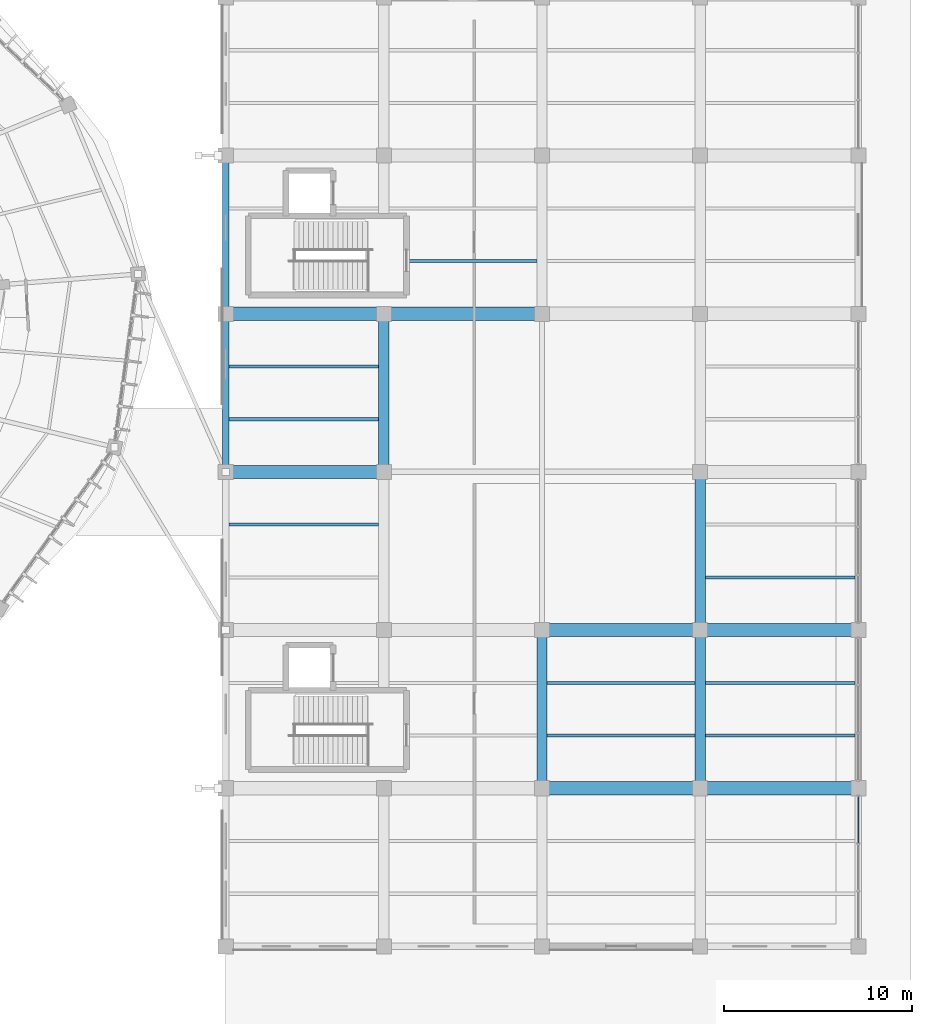
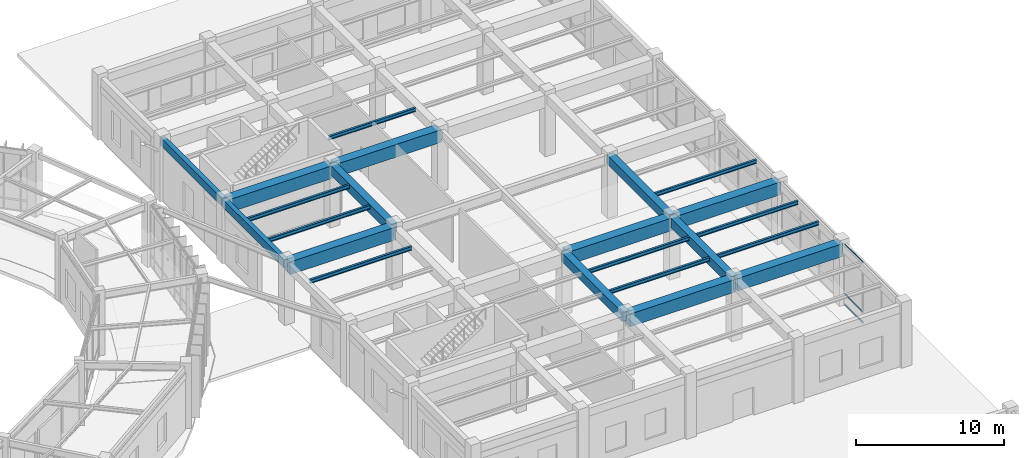
# One storey, part 102 of 157: 22 beams, 3 members, 1 element without a shape of its own.
"""IFC4 building model written with IfcOpenShell, lengths in metres."""

from ifc_helpers import new_model, si_unit, direction, frame, origin, origin_2d, place, context, subcontext, project, spatial, rectangle, hollow_rectangle, i_section, extrude, material, material_profile, profile_set, type_object, element, aggregate, save


model = new_model("IFC4")

# Units and contexts
model_context = context("Model", 3, precision=1e-05, world=origin(), true_north=direction((0.0, 1.0)))
body_context = subcontext(model_context, "Body", "Model", "MODEL_VIEW")
ifc_project = project(units=[si_unit("LENGTHUNIT", "METRE"), si_unit("AREAUNIT", "SQUARE_METRE"), si_unit("VOLUMEUNIT", "CUBIC_METRE"), si_unit("PLANEANGLEUNIT", "RADIAN"), si_unit("MASSUNIT", "GRAM", prefix="KILO"), si_unit("THERMODYNAMICTEMPERATUREUNIT", "KELVIN"), si_unit("POWERUNIT", "WATT")], contexts=[model_context])

# Site, building, storey
site_placement = place(None, origin())
site = spatial("IfcSite", under=ifc_project, at=site_placement, CompositionType="ELEMENT")
building_placement = place(site_placement, origin())
building = spatial("IfcBuilding", under=site, at=building_placement, Name="Darbajah Civic Hall", CompositionType="ELEMENT")
storey_placement = place(building_placement, origin())
storey = spatial("IfcBuildingStorey", under=building, at=storey_placement, Name="L00", CompositionType="ELEMENT", Elevation=0.0)

# Curtain wall, members
ifc_material_1 = material(Name="Anodised Bronze Aluminium and Low-E Glazing", Category="aluminium")
curtain_wall_type = type_object("IfcCurtainWallType", Name="Unitised Curtain Wall CW-95 7600x5050", PredefinedType="USERDEFINED", material=ifc_material_1)
curtain_wall_placement = place(storey_placement, origin())
curtain_wall = element("IfcCurtainWall", 1, at=curtain_wall_placement, inside=storey, type_object=curtain_wall_type, Name="L00 unitised curtain wall CW-V4-L00-S1-B0", ObjectType="UNITISED CURTAIN WALL", PredefinedType="USERDEFINED")
ifc_material_2 = material(Name="Anodised Bronze Aluminium", Category="aluminium")
ifc_material_profile_1 = material_profile(ifc_material_2, hollow_rectangle(XDim=0.06005859375, YDim=0.1201171875, WallThickness=0.003173828125, at=origin_2d()), Name="ALU TRANSOM 60x120")
ifc_profile_set_1 = profile_set([ifc_material_profile_1], Name="Anodised Bronze Aluminium")
member_type = type_object("IfcMemberType", Name="ALU TRANSOM 60x120", PredefinedType="USERDEFINED", material=ifc_profile_set_1)
member_1_placement = place(storey_placement, frame((178.199951171875, 61.90087890625, 0.06005859375), z_axis=(0.0, 1.0, 0.0), x_axis=(-1.0, 0.0, 0.0)))
member_1 = element("IfcMember", 2, at=member_1_placement, type_object=member_type, Name="CW-V4-L00-S1-B0 transom 3.1", ObjectType="TRANSOM", PredefinedType="USERDEFINED", context=body_context, shape_type="SweptSolid", body=[
    extrude(hollow_rectangle(XDim=0.06005859375, YDim=0.1201171875, WallThickness=0.003173828125, at=origin_2d()), origin(), (0.0, 0.0, 1.0), 2.462158203125),
])
member_2_placement = place(storey_placement, frame((178.199951171875, 61.90087890625, 0.949951171875), z_axis=(0.0, 1.0, 0.0), x_axis=(-1.0, 0.0, 0.0)))
member_2 = element("IfcMember", 3, at=member_2_placement, type_object=member_type, Name="CW-V4-L00-S1-B0 transom 3.2", ObjectType="TRANSOM", PredefinedType="USERDEFINED", context=body_context, shape_type="SweptSolid", body=[
    extrude(hollow_rectangle(XDim=0.06005859375, YDim=0.1201171875, WallThickness=0.003173828125, at=origin_2d()), origin(), (0.0, 0.0, 1.0), 2.462158203125),
])
member_3_placement = place(storey_placement, frame((178.199951171875, 61.90087890625, 5.0), z_axis=(0.0, 1.0, 0.0), x_axis=(-1.0, 0.0, 0.0)))
member_3 = element("IfcMember", 4, at=member_3_placement, type_object=member_type, Name="CW-V4-L00-S1-B0 transom 3.3", ObjectType="TRANSOM", PredefinedType="USERDEFINED", context=body_context, shape_type="SweptSolid", body=[
    extrude(hollow_rectangle(XDim=0.06005859375, YDim=0.1201171875, WallThickness=0.003173828125, at=origin_2d()), origin(), (0.0, 0.0, 1.0), 2.462158203125),
])
aggregate(curtain_wall, [member_1, member_2, member_3])

# Beams
ifc_material_3 = material(Name="Concrete C45/55", Category="concrete")
ifc_material_profile_2 = material_profile(ifc_material_3, rectangle(XDim=0.550048828125, YDim=0.75, at=origin_2d()), Name="RC BEAM 550x750")
ifc_profile_set_2 = profile_set([ifc_material_profile_2], Name="Concrete C45/55")
beam_type_1 = type_object("IfcBeamType", Name="RC BEAM 550x750", PredefinedType="BEAM", material=ifc_profile_set_2)
beam_1_placement = place(storey_placement, frame((153.0, 81.679931640625, 4.68505859375), z_axis=(0.0, 1.0, 0.0), x_axis=(-1.0, 0.0, 0.0)))
element("IfcBeam", 5, at=beam_1_placement, inside=storey, type_object=beam_type_1, Name="L00 beam BM-5575", PredefinedType="BEAM", context=body_context, shape_type="SweptSolid", body=[
    extrude(rectangle(XDim=0.550048828125, YDim=0.75, at=origin_2d()), origin(), (0.0, 0.0, 1.0), 8.239990234375),
])
for number, where, z_axis, x_axis, name in (
    (6, (161.39990234375, 64.8798828125, 4.68505859375), (0.0, 1.0, 0.0), (-1.0, 0.0, 0.0), "L00 beam BM-5575"),
    (7, (169.800048828125, 64.8798828125, 4.68505859375), (0.0, 1.0, 0.0), (-1.0, 0.0, 0.0), "L00 beam BM-5575"),
):
    element("IfcBeam", number, at=place(storey_placement, frame(where, z_axis=z_axis, x_axis=x_axis)), inside=storey, type_object=beam_type_1, Name=name, PredefinedType="BEAM", context=body_context, shape_type="SweptSolid", body=[
        extrude(rectangle(XDim=0.550048828125, YDim=0.75, at=origin_2d()), origin(), (0.0, 0.0, 1.0), 8.240234375),
    ])
beam_2_placement = place(storey_placement, frame((169.800048828125, 73.280029296875, 4.68505859375), z_axis=(0.0, 1.0, 0.0), x_axis=(-1.0, 0.0, 0.0)))
element("IfcBeam", 8, at=beam_2_placement, inside=storey, type_object=beam_type_1, Name="L00 beam BM-5575", PredefinedType="BEAM", context=body_context, shape_type="SweptSolid", body=[
    extrude(rectangle(XDim=0.550048828125, YDim=0.75, at=origin_2d()), origin(), (0.0, 0.0, 1.0), 8.239990234375),
])
ifc_material_4 = material(Name="Concrete C50/60", Category="concrete")
ifc_material_profile_3 = material_profile(ifc_material_4, rectangle(XDim=0.699951171875, YDim=1.050048828125, at=origin_2d()), Name="RC GIRDER 700x1050")
ifc_profile_set_3 = profile_set([ifc_material_profile_3], Name="Concrete C50/60")
beam_type_2 = type_object("IfcBeamType", Name="RC GIRDER 700x1050", PredefinedType="BEAM", material=ifc_profile_set_3)
beam_3_placement = place(storey_placement, frame((161.47998046875, 64.800048828125, 4.534912109375), z_axis=(1.0, 0.0, 0.0), x_axis=(0.0, 1.0, 0.0)))
element("IfcBeam", 9, at=beam_3_placement, inside=storey, type_object=beam_type_2, Name="L00 beam BG-7010", PredefinedType="BEAM", context=body_context, shape_type="SweptSolid", body=[
    extrude(rectangle(XDim=0.699951171875, YDim=1.050048828125, at=origin_2d()), origin(), (0.0, 0.0, 1.0), 8.239990234375),
])
beam_4_placement = place(storey_placement, frame((169.8798828125, 64.800048828125, 4.534912109375), z_axis=(1.0, 0.0, 0.0), x_axis=(0.0, 1.0, 0.0)))
element("IfcBeam", 10, at=beam_4_placement, inside=storey, type_object=beam_type_2, Name="L00 beam BG-7010", PredefinedType="BEAM", context=body_context, shape_type="SweptSolid", body=[
    extrude(rectangle(XDim=0.699951171875, YDim=1.050048828125, at=origin_2d()), origin(), (0.0, 0.0, 1.0), 8.240234375),
])
beam_5_placement = place(storey_placement, frame((161.47998046875, 73.199951171875, 4.534912109375), z_axis=(1.0, 0.0, 0.0), x_axis=(0.0, 1.0, 0.0)))
element("IfcBeam", 11, at=beam_5_placement, inside=storey, type_object=beam_type_2, Name="L00 beam BG-7010", PredefinedType="BEAM", context=body_context, shape_type="SweptSolid", body=[
    extrude(rectangle(XDim=0.699951171875, YDim=1.050048828125, at=origin_2d()), origin(), (0.0, 0.0, 1.0), 8.239990234375),
])
beam_6_placement = place(storey_placement, frame((169.8798828125, 73.199951171875, 4.534912109375), z_axis=(1.0, 0.0, 0.0), x_axis=(0.0, 1.0, 0.0)))
element("IfcBeam", 12, at=beam_6_placement, inside=storey, type_object=beam_type_2, Name="L00 beam BG-7010", PredefinedType="BEAM", context=body_context, shape_type="SweptSolid", body=[
    extrude(rectangle(XDim=0.699951171875, YDim=1.050048828125, at=origin_2d()), origin(), (0.0, 0.0, 1.0), 8.240234375),
])
for number, where, z_axis, x_axis, name in (
    (13, (144.679931640625, 81.60009765625, 4.534912109375), (1.0, 0.0, 0.0), (0.0, 1.0, 0.0), "L00 beam BG-7010"),
    (14, (144.679931640625, 90.0, 4.534912109375), (1.0, 0.0, 0.0), (0.0, 1.0, 0.0), "L00 beam BG-7010"),
    (15, (153.080078125, 90.0, 4.534912109375), (1.0, 0.0, 0.0), (0.0, 1.0, 0.0), "L00 beam BG-7010"),
):
    element("IfcBeam", number, at=place(storey_placement, frame(where, z_axis=z_axis, x_axis=x_axis)), inside=storey, type_object=beam_type_2, Name=name, PredefinedType="BEAM", context=body_context, shape_type="SweptSolid", body=[
        extrude(rectangle(XDim=0.699951171875, YDim=1.050048828125, at=origin_2d()), origin(), (0.0, 0.0, 1.0), 8.239990234375),
    ])
ifc_material_profile_4 = material_profile(ifc_material_3, rectangle(XDim=0.35009765625, YDim=0.64990234375, at=origin_2d()), Name="RC SPANDREL 350x650")
ifc_profile_set_4 = profile_set([ifc_material_profile_4], Name="Concrete C45/55")
beam_type_3 = type_object("IfcBeamType", Name="RC SPANDREL 350x650", PredefinedType="SPANDREL", material=ifc_profile_set_4)
for number, where, z_axis, x_axis, name in (
    (16, (144.60009765625, 81.679931640625, 4.735107421875), (0.0, 1.0, 0.0), (-1.0, 0.0, 0.0), "L00 beam SP-3565"),
    (17, (144.60009765625, 90.080078125, 4.735107421875), (0.0, 1.0, 0.0), (-1.0, 0.0, 0.0), "L00 beam SP-3565"),
):
    element("IfcBeam", number, at=place(storey_placement, frame(where, z_axis=z_axis, x_axis=x_axis)), inside=storey, type_object=beam_type_3, Name=name, PredefinedType="SPANDREL", context=body_context, shape_type="SweptSolid", body=[
        extrude(rectangle(XDim=0.35009765625, YDim=0.64990234375, at=origin_2d()), origin(), (0.0, 0.0, 1.0), 8.239990234375),
    ])
ifc_material_5 = material(Name="Steel S355JR", Category="steel")
ifc_material_profile_5 = material_profile(ifc_material_5, i_section(OverallWidth=0.165771484375, OverallDepth=0.306640625, WebThickness=0.006591796875, FlangeThickness=0.01171875, FilletRadius=0.0087890625, at=origin_2d()), Name="UB 305x165x46")
ifc_profile_set_5 = profile_set([ifc_material_profile_5], Name="Steel S355JR")
beam_type_4 = type_object("IfcBeamType", Name="UB 305x165x46", PredefinedType="JOIST", material=ifc_profile_set_5)
for number, where, z_axis, x_axis, name in (
    (18, (144.77490234375, 78.800048828125, 4.90673828125), (1.0, 0.0, 0.0), (0.0, 1.0, 0.0), "L00 beam SJ-305"),
    (19, (144.77490234375, 84.39990234375, 4.90673828125), (1.0, 0.0, 0.0), (0.0, 1.0, 0.0), "L00 beam SJ-305"),
    (20, (144.77490234375, 87.199951171875, 4.90673828125), (1.0, 0.0, 0.0), (0.0, 1.0, 0.0), "L00 beam SJ-305"),
):
    element("IfcBeam", number, at=place(storey_placement, frame(where, z_axis=z_axis, x_axis=x_axis)), inside=storey, type_object=beam_type_4, Name=name, PredefinedType="JOIST", context=body_context, shape_type="SweptSolid", body=[
        extrude(i_section(OverallWidth=0.165771484375, OverallDepth=0.306640625, WebThickness=0.006591796875, FlangeThickness=0.01171875, FilletRadius=0.0087890625, at=origin_2d()), origin(), (0.0, 0.0, 1.0), 7.9501953125),
    ])
beam_7_placement = place(storey_placement, frame((154.340087890625, 92.800048828125, 4.90673828125), z_axis=(1.0, 0.0, 0.0), x_axis=(0.0, 1.0, 0.0)))
element("IfcBeam", 21, at=beam_7_placement, inside=storey, type_object=beam_type_4, Name="L00 beam SJ-305", PredefinedType="JOIST", context=body_context, shape_type="SweptSolid", body=[
    extrude(i_section(OverallWidth=0.165771484375, OverallDepth=0.306640625, WebThickness=0.006591796875, FlangeThickness=0.01171875, FilletRadius=0.0087890625, at=origin_2d()), origin(), (0.0, 0.0, 1.0), 6.784912109375),
])
for number, where, z_axis, x_axis, name in (
    (22, (161.675048828125, 67.60009765625, 4.90673828125), (1.0, 0.0, 0.0), (0.0, 1.0, 0.0), "L00 beam SJ-305"),
    (23, (161.675048828125, 70.39990234375, 4.90673828125), (1.0, 0.0, 0.0), (0.0, 1.0, 0.0), "L00 beam SJ-305"),
):
    element("IfcBeam", number, at=place(storey_placement, frame(where, z_axis=z_axis, x_axis=x_axis)), inside=storey, type_object=beam_type_4, Name=name, PredefinedType="JOIST", context=body_context, shape_type="SweptSolid", body=[
        extrude(i_section(OverallWidth=0.165771484375, OverallDepth=0.306640625, WebThickness=0.006591796875, FlangeThickness=0.01171875, FilletRadius=0.0087890625, at=origin_2d()), origin(), (0.0, 0.0, 1.0), 7.849853515625),
    ])
for number, where, z_axis, x_axis, name in (
    (24, (170.074951171875, 67.60009765625, 4.90673828125), (1.0, 0.0, 0.0), (0.0, 1.0, 0.0), "L00 beam SJ-305"),
    (25, (170.074951171875, 70.39990234375, 4.90673828125), (1.0, 0.0, 0.0), (0.0, 1.0, 0.0), "L00 beam SJ-305"),
    (26, (170.074951171875, 76.0, 4.90673828125), (1.0, 0.0, 0.0), (0.0, 1.0, 0.0), "L00 beam SJ-305"),
):
    element("IfcBeam", number, at=place(storey_placement, frame(where, z_axis=z_axis, x_axis=x_axis)), inside=storey, type_object=beam_type_4, Name=name, PredefinedType="JOIST", context=body_context, shape_type="SweptSolid", body=[
        extrude(i_section(OverallWidth=0.165771484375, OverallDepth=0.306640625, WebThickness=0.006591796875, FlangeThickness=0.01171875, FilletRadius=0.0087890625, at=origin_2d()), origin(), (0.0, 0.0, 1.0), 7.949951171875),
    ])

save(model, "model.ifc")
